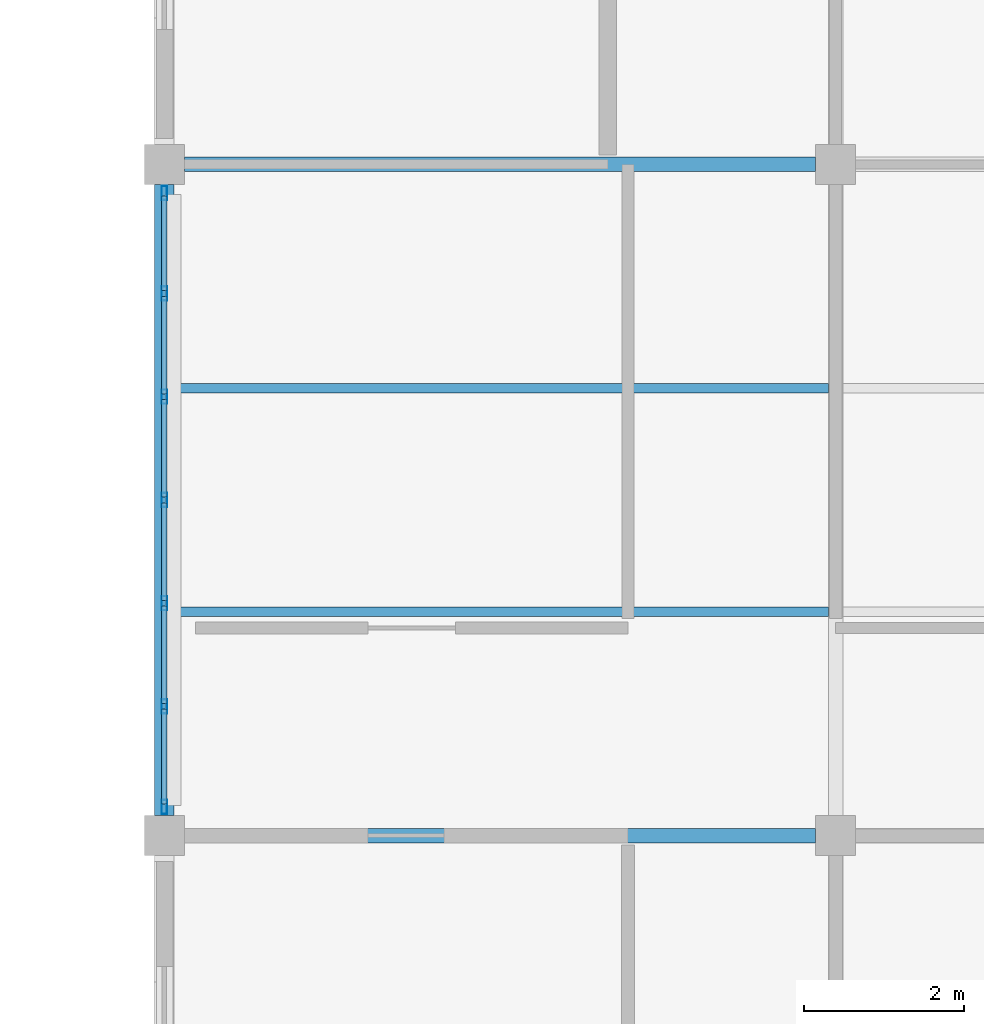
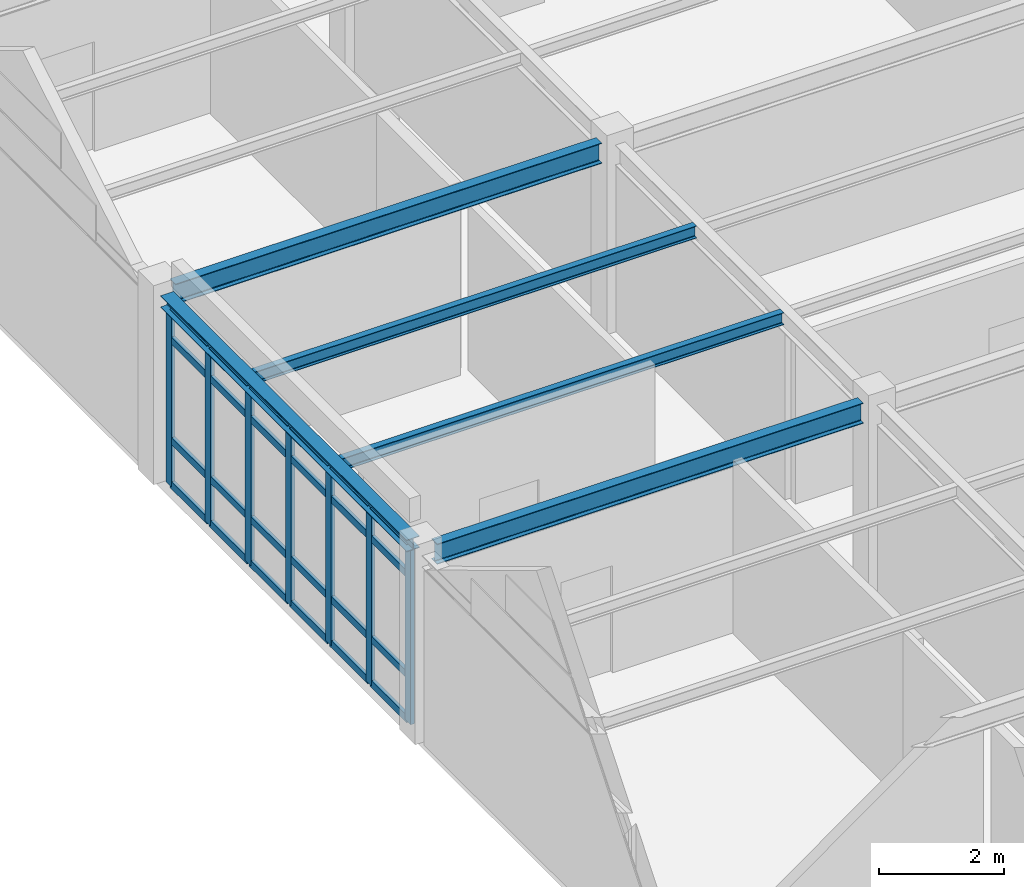
# One storey, part 4 of 45: 31 members, 5 beams, 1 element without a shape of its own.
"""IFC4 building model written with IfcOpenShell, lengths in metres."""

from ifc_helpers import new_model, si_unit, direction, frame, origin, origin_2d, place, context, subcontext, project, spatial, hollow_rectangle, i_section, extrude, material, layer, layer_set, material_profile, profile_set, type_object, element, aggregate, save


model = new_model("IFC4")

# Units and contexts
model_context = context("Model", 3, precision=1e-05, world=origin(), true_north=direction((0.0, 1.0)))
body_context = subcontext(model_context, "Body", "Model", "MODEL_VIEW")
ifc_project = project(units=[si_unit("LENGTHUNIT", "METRE"), si_unit("AREAUNIT", "SQUARE_METRE"), si_unit("VOLUMEUNIT", "CUBIC_METRE"), si_unit("PLANEANGLEUNIT", "RADIAN"), si_unit("MASSUNIT", "GRAM", prefix="KILO")], contexts=[model_context])

# Site, building, storey
site_placement = place(None, origin())
site = spatial("IfcSite", under=ifc_project, at=site_placement, CompositionType="ELEMENT")
building_placement = place(site_placement, origin())
building = spatial("IfcBuilding", under=site, at=building_placement, Name="Bramfleet General Hospital", CompositionType="ELEMENT")
storey_placement = place(building_placement, frame((0.0, 0.0, 30.300048828125)))
storey = spatial("IfcBuildingStorey", under=building, at=storey_placement, Name="L07", CompositionType="ELEMENT", Elevation=30.300048828125)

# Beams
ifc_material_1 = material(Name="Steel S355", Category="steel")
ifc_material_profile_1 = material_profile(ifc_material_1, i_section(OverallWidth=0.239990234375, OverallDepth=0.22998046875, WebThickness=0.007568359375, FlangeThickness=0.011962890625, FilletRadius=0.02099609375, at=origin_2d()), Name="HEA 240")
ifc_profile_set_1 = profile_set([ifc_material_profile_1], Name="Steel S355")
beam_type_1 = type_object("IfcBeamType", Name="BM-HEA240", PredefinedType="SPANDREL", material=ifc_profile_set_1)
beam_placement = place(storey_placement, frame((92.39990234375, 42.25, 3.544921875), z_axis=(0.0, 1.0, 0.0), x_axis=(-1.0, 0.0, 0.0)))
element("IfcBeam", 1, at=beam_placement, inside=storey, type_object=beam_type_1, Name="L07 Grid Beam Y 11-05", PredefinedType="SPANDREL", context=body_context, shape_type="SweptSolid", body=[
    extrude(i_section(OverallWidth=0.239990234375, OverallDepth=0.22998046875, WebThickness=0.007568359375, FlangeThickness=0.011962890625, FilletRadius=0.02099609375, at=origin_2d()), origin(), (0.0, 0.0, 1.0), 7.89990234375),
])
ifc_material_profile_2 = material_profile(ifc_material_1, i_section(OverallWidth=0.1201171875, OverallDepth=0.239990234375, WebThickness=0.006103515625, FlangeThickness=0.009765625, FilletRadius=0.014892578125, at=origin_2d()), Name="IPE 240")
ifc_profile_set_2 = profile_set([ifc_material_profile_2], Name="Steel S355")
beam_type_2 = type_object("IfcBeamType", Name="BM-IPE240", PredefinedType="JOIST", material=ifc_profile_set_2)
for number, where, z_axis, x_axis, name in (
    (2, (92.52001953125, 44.800048828125, 3.5400390625), (1.0, 0.0, 0.0), (0.0, 1.0, 0.0), "L07 Secondary Joist 11-05-1"),
    (3, (92.52001953125, 47.60009765625, 3.5400390625), (1.0, 0.0, 0.0), (0.0, 1.0, 0.0), "L07 Secondary Joist 11-05-2"),
):
    element("IfcBeam", number, at=place(storey_placement, frame(where, z_axis=z_axis, x_axis=x_axis)), inside=storey, type_object=beam_type_2, Name=name, PredefinedType="JOIST", context=body_context, shape_type="SweptSolid", body=[
        extrude(i_section(OverallWidth=0.1201171875, OverallDepth=0.239990234375, WebThickness=0.006103515625, FlangeThickness=0.009765625, FilletRadius=0.014892578125, at=origin_2d()), origin(), (0.0, 0.0, 1.0), 8.18994140625),
    ])
ifc_material_profile_3 = material_profile(ifc_material_1, i_section(OverallWidth=0.179931640625, OverallDepth=0.39990234375, WebThickness=0.008544921875, FlangeThickness=0.013427734375, FilletRadius=0.02099609375, at=origin_2d()), Name="IPE 400")
ifc_profile_set_3 = profile_set([ifc_material_profile_3], Name="Steel S355")
beam_type_3 = type_object("IfcBeamType", Name="BM-IPE400", PredefinedType="BEAM", material=ifc_profile_set_3)
for number, where, z_axis, x_axis, name in (
    (4, (92.64990234375, 42.0, 3.4599609375), (1.0, 0.0, 0.0), (0.0, 1.0, 0.0), "L07 Grid Beam X 11-05"),
    (5, (92.64990234375, 50.39990234375, 3.4599609375), (1.0, 0.0, 0.0), (0.0, 1.0, 0.0), "L07 Grid Beam X 11-06"),
):
    element("IfcBeam", number, at=place(storey_placement, frame(where, z_axis=z_axis, x_axis=x_axis)), inside=storey, type_object=beam_type_3, Name=name, PredefinedType="BEAM", context=body_context, shape_type="SweptSolid", body=[
        extrude(i_section(OverallWidth=0.179931640625, OverallDepth=0.39990234375, WebThickness=0.008544921875, FlangeThickness=0.013427734375, FilletRadius=0.02099609375, at=origin_2d()), origin(), (0.0, 0.0, 1.0), 7.900146484375),
    ])

# Curtain wall, members
ifc_material_2 = material(Name="Anodised aluminium and low-E triple glazing", Category="aluminium")
ifc_layer = layer(ifc_material_2, 0.179931640625, Name="CWT-CW-17")
ifc_layer_set = layer_set([ifc_layer], Name="Anodised aluminium and low-E triple glazing")
curtain_wall_type = type_object("IfcCurtainWallType", Name="CWT-CW-17", PredefinedType="USERDEFINED", material=ifc_layer_set)
curtain_wall_placement = place(storey_placement, origin())
curtain_wall = element("IfcCurtainWall", 6, at=curtain_wall_placement, inside=storey, type_object=curtain_wall_type, Name="L07 Curtain Wall 233", ObjectType="Stick curtain wall", PredefinedType="USERDEFINED")
ifc_material_3 = material(Name="Anodised aluminium EN AW-6060", Category="aluminium")
ifc_material_profile_4 = material_profile(ifc_material_3, hollow_rectangle(XDim=0.070068359375, YDim=0.179931640625, WallThickness=0.00390625, at=origin_2d()), Name="ALU 180x70x4.0")
ifc_profile_set_4 = profile_set([ifc_material_profile_4], Name="Anodised aluminium EN AW-6060")
member_type_1 = type_object("IfcMemberType", Name="CWM-ALU180", PredefinedType="MULLION", material=ifc_profile_set_4)
member_1_placement = place(storey_placement, frame((92.39990234375, 42.360107421875, 0.0), z_axis=(0.0, 0.0, 1.0), x_axis=(-1.0, 0.0, 0.0)))
member_1 = element("IfcMember", 7, at=member_1_placement, type_object=member_type_1, Name="CW-17 mullion 1", PredefinedType="MULLION", context=body_context, shape_type="SweptSolid", body=[
    extrude(hollow_rectangle(XDim=0.070068359375, YDim=0.179931640625, WallThickness=0.00390625, at=origin_2d()), origin(), (0.0, 0.0, 1.0), 3.419921875),
])
member_2_placement = place(storey_placement, frame((92.39990234375, 43.61669921875, 0.0), z_axis=(0.0, 0.0, 1.0), x_axis=(-1.0, 0.0, 0.0)))
member_2 = element("IfcMember", 8, at=member_2_placement, type_object=member_type_1, Name="CW-17 mullion 2", PredefinedType="MULLION", context=body_context, shape_type="SweptSolid", body=[
    extrude(hollow_rectangle(XDim=0.070068359375, YDim=0.179931640625, WallThickness=0.00390625, at=origin_2d()), origin(), (0.0, 0.0, 1.0), 3.419921875),
])
member_3_placement = place(storey_placement, frame((92.39990234375, 44.908447265625, 0.0), z_axis=(0.0, 0.0, 1.0), x_axis=(-1.0, 0.0, 0.0)))
member_3 = element("IfcMember", 9, at=member_3_placement, type_object=member_type_1, Name="CW-17 mullion 3", PredefinedType="MULLION", context=body_context, shape_type="SweptSolid", body=[
    extrude(hollow_rectangle(XDim=0.070068359375, YDim=0.179931640625, WallThickness=0.00390625, at=origin_2d()), origin(), (0.0, 0.0, 1.0), 3.419921875),
])
member_4_placement = place(storey_placement, frame((92.39990234375, 46.199951171875, 0.0), z_axis=(0.0, 0.0, 1.0), x_axis=(-1.0, 0.0, 0.0)))
member_4 = element("IfcMember", 10, at=member_4_placement, type_object=member_type_1, Name="CW-17 mullion 4", PredefinedType="MULLION", context=body_context, shape_type="SweptSolid", body=[
    extrude(hollow_rectangle(XDim=0.070068359375, YDim=0.179931640625, WallThickness=0.00390625, at=origin_2d()), origin(), (0.0, 0.0, 1.0), 3.419921875),
])
member_5_placement = place(storey_placement, frame((92.39990234375, 47.49169921875, 0.0), z_axis=(0.0, 0.0, 1.0), x_axis=(-1.0, 0.0, 0.0)))
member_5 = element("IfcMember", 11, at=member_5_placement, type_object=member_type_1, Name="CW-17 mullion 5", PredefinedType="MULLION", context=body_context, shape_type="SweptSolid", body=[
    extrude(hollow_rectangle(XDim=0.070068359375, YDim=0.179931640625, WallThickness=0.00390625, at=origin_2d()), origin(), (0.0, 0.0, 1.0), 3.419921875),
])
member_6_placement = place(storey_placement, frame((92.39990234375, 48.783447265625, 0.0), z_axis=(0.0, 0.0, 1.0), x_axis=(-1.0, 0.0, 0.0)))
member_6 = element("IfcMember", 12, at=member_6_placement, type_object=member_type_1, Name="CW-17 mullion 6", PredefinedType="MULLION", context=body_context, shape_type="SweptSolid", body=[
    extrude(hollow_rectangle(XDim=0.070068359375, YDim=0.179931640625, WallThickness=0.00390625, at=origin_2d()), origin(), (0.0, 0.0, 1.0), 3.419921875),
])
member_7_placement = place(storey_placement, frame((92.39990234375, 50.0400390625, 0.0), z_axis=(0.0, 0.0, 1.0), x_axis=(-1.0, 0.0, 0.0)))
member_7 = element("IfcMember", 13, at=member_7_placement, type_object=member_type_1, Name="CW-17 mullion 7", PredefinedType="MULLION", context=body_context, shape_type="SweptSolid", body=[
    extrude(hollow_rectangle(XDim=0.070068359375, YDim=0.179931640625, WallThickness=0.00390625, at=origin_2d()), origin(), (0.0, 0.0, 1.0), 3.419921875),
])
ifc_material_profile_5 = material_profile(ifc_material_3, hollow_rectangle(XDim=0.06494140625, YDim=0.139892578125, WallThickness=0.00390625, at=origin_2d()), Name="ALU 140x65x4.0")
ifc_profile_set_5 = profile_set([ifc_material_profile_5], Name="Anodised aluminium EN AW-6060")
member_type_2 = type_object("IfcMemberType", Name="CWT-ALU140", PredefinedType="USERDEFINED", material=ifc_profile_set_5)
member_8_placement = place(storey_placement, frame((92.39990234375, 42.39501953125, 0.032470703125), z_axis=(0.0, 1.0, 0.0), x_axis=(-1.0, 0.0, 0.0)))
member_8 = element("IfcMember", 14, at=member_8_placement, type_object=member_type_2, Name="CW-17 transom 1.1", ObjectType="TRANSOM", PredefinedType="USERDEFINED", context=body_context, shape_type="SweptSolid", body=[
    extrude(hollow_rectangle(XDim=0.06494140625, YDim=0.139892578125, WallThickness=0.00390625, at=origin_2d()), origin(), (0.0, 0.0, 1.0), 1.186767578125),
])
member_9_placement = place(storey_placement, frame((92.39990234375, 42.39501953125, 0.89990234375), z_axis=(0.0, 1.0, 0.0), x_axis=(-1.0, 0.0, 0.0)))
member_9 = element("IfcMember", 15, at=member_9_placement, type_object=member_type_2, Name="CW-17 transom 1.2", ObjectType="TRANSOM", PredefinedType="USERDEFINED", context=body_context, shape_type="SweptSolid", body=[
    extrude(hollow_rectangle(XDim=0.06494140625, YDim=0.139892578125, WallThickness=0.00390625, at=origin_2d()), origin(), (0.0, 0.0, 1.0), 1.186767578125),
])
member_10_placement = place(storey_placement, frame((92.39990234375, 42.39501953125, 2.869873046875), z_axis=(0.0, 1.0, 0.0), x_axis=(-1.0, 0.0, 0.0)))
member_10 = element("IfcMember", 16, at=member_10_placement, type_object=member_type_2, Name="CW-17 transom 1.3", ObjectType="TRANSOM", PredefinedType="USERDEFINED", context=body_context, shape_type="SweptSolid", body=[
    extrude(hollow_rectangle(XDim=0.06494140625, YDim=0.139892578125, WallThickness=0.00390625, at=origin_2d()), origin(), (0.0, 0.0, 1.0), 1.186767578125),
])
member_11_placement = place(storey_placement, frame((92.39990234375, 42.39501953125, 3.387451171875), z_axis=(0.0, 1.0, 0.0), x_axis=(-1.0, 0.0, 0.0)))
member_11 = element("IfcMember", 17, at=member_11_placement, type_object=member_type_2, Name="CW-17 transom 1.4", ObjectType="TRANSOM", PredefinedType="USERDEFINED", context=body_context, shape_type="SweptSolid", body=[
    extrude(hollow_rectangle(XDim=0.06494140625, YDim=0.139892578125, WallThickness=0.00390625, at=origin_2d()), origin(), (0.0, 0.0, 1.0), 1.186767578125),
])
member_12_placement = place(storey_placement, frame((92.39990234375, 43.651611328125, 0.032470703125), z_axis=(0.0, 1.0, 0.0), x_axis=(-1.0, 0.0, 0.0)))
member_12 = element("IfcMember", 18, at=member_12_placement, type_object=member_type_2, Name="CW-17 transom 2.1", ObjectType="TRANSOM", PredefinedType="USERDEFINED", context=body_context, shape_type="SweptSolid", body=[
    extrude(hollow_rectangle(XDim=0.06494140625, YDim=0.139892578125, WallThickness=0.00390625, at=origin_2d()), origin(), (0.0, 0.0, 1.0), 1.2216796875),
])
member_13_placement = place(storey_placement, frame((92.39990234375, 43.651611328125, 0.89990234375), z_axis=(0.0, 1.0, 0.0), x_axis=(-1.0, 0.0, 0.0)))
member_13 = element("IfcMember", 19, at=member_13_placement, type_object=member_type_2, Name="CW-17 transom 2.2", ObjectType="TRANSOM", PredefinedType="USERDEFINED", context=body_context, shape_type="SweptSolid", body=[
    extrude(hollow_rectangle(XDim=0.06494140625, YDim=0.139892578125, WallThickness=0.00390625, at=origin_2d()), origin(), (0.0, 0.0, 1.0), 1.2216796875),
])
member_14_placement = place(storey_placement, frame((92.39990234375, 43.651611328125, 2.869873046875), z_axis=(0.0, 1.0, 0.0), x_axis=(-1.0, 0.0, 0.0)))
member_14 = element("IfcMember", 20, at=member_14_placement, type_object=member_type_2, Name="CW-17 transom 2.3", ObjectType="TRANSOM", PredefinedType="USERDEFINED", context=body_context, shape_type="SweptSolid", body=[
    extrude(hollow_rectangle(XDim=0.06494140625, YDim=0.139892578125, WallThickness=0.00390625, at=origin_2d()), origin(), (0.0, 0.0, 1.0), 1.2216796875),
])
member_15_placement = place(storey_placement, frame((92.39990234375, 43.651611328125, 3.387451171875), z_axis=(0.0, 1.0, 0.0), x_axis=(-1.0, 0.0, 0.0)))
member_15 = element("IfcMember", 21, at=member_15_placement, type_object=member_type_2, Name="CW-17 transom 2.4", ObjectType="TRANSOM", PredefinedType="USERDEFINED", context=body_context, shape_type="SweptSolid", body=[
    extrude(hollow_rectangle(XDim=0.06494140625, YDim=0.139892578125, WallThickness=0.00390625, at=origin_2d()), origin(), (0.0, 0.0, 1.0), 1.2216796875),
])
member_16_placement = place(storey_placement, frame((92.39990234375, 44.943359375, 0.032470703125), z_axis=(0.0, 1.0, 0.0), x_axis=(-1.0, 0.0, 0.0)))
member_16 = element("IfcMember", 22, at=member_16_placement, type_object=member_type_2, Name="CW-17 transom 3.1", ObjectType="TRANSOM", PredefinedType="USERDEFINED", context=body_context, shape_type="SweptSolid", body=[
    extrude(hollow_rectangle(XDim=0.06494140625, YDim=0.139892578125, WallThickness=0.00390625, at=origin_2d()), origin(), (0.0, 0.0, 1.0), 1.2216796875),
])
member_17_placement = place(storey_placement, frame((92.39990234375, 44.943359375, 0.89990234375), z_axis=(0.0, 1.0, 0.0), x_axis=(-1.0, 0.0, 0.0)))
member_17 = element("IfcMember", 23, at=member_17_placement, type_object=member_type_2, Name="CW-17 transom 3.2", ObjectType="TRANSOM", PredefinedType="USERDEFINED", context=body_context, shape_type="SweptSolid", body=[
    extrude(hollow_rectangle(XDim=0.06494140625, YDim=0.139892578125, WallThickness=0.00390625, at=origin_2d()), origin(), (0.0, 0.0, 1.0), 1.2216796875),
])
member_18_placement = place(storey_placement, frame((92.39990234375, 44.943359375, 2.869873046875), z_axis=(0.0, 1.0, 0.0), x_axis=(-1.0, 0.0, 0.0)))
member_18 = element("IfcMember", 24, at=member_18_placement, type_object=member_type_2, Name="CW-17 transom 3.3", ObjectType="TRANSOM", PredefinedType="USERDEFINED", context=body_context, shape_type="SweptSolid", body=[
    extrude(hollow_rectangle(XDim=0.06494140625, YDim=0.139892578125, WallThickness=0.00390625, at=origin_2d()), origin(), (0.0, 0.0, 1.0), 1.2216796875),
])
member_19_placement = place(storey_placement, frame((92.39990234375, 44.943359375, 3.387451171875), z_axis=(0.0, 1.0, 0.0), x_axis=(-1.0, 0.0, 0.0)))
member_19 = element("IfcMember", 25, at=member_19_placement, type_object=member_type_2, Name="CW-17 transom 3.4", ObjectType="TRANSOM", PredefinedType="USERDEFINED", context=body_context, shape_type="SweptSolid", body=[
    extrude(hollow_rectangle(XDim=0.06494140625, YDim=0.139892578125, WallThickness=0.00390625, at=origin_2d()), origin(), (0.0, 0.0, 1.0), 1.2216796875),
])
member_20_placement = place(storey_placement, frame((92.39990234375, 46.235107421875, 0.032470703125), z_axis=(0.0, 1.0, 0.0), x_axis=(-1.0, 0.0, 0.0)))
member_20 = element("IfcMember", 26, at=member_20_placement, type_object=member_type_2, Name="CW-17 transom 4.1", ObjectType="TRANSOM", PredefinedType="USERDEFINED", context=body_context, shape_type="SweptSolid", body=[
    extrude(hollow_rectangle(XDim=0.06494140625, YDim=0.139892578125, WallThickness=0.00390625, at=origin_2d()), origin(), (0.0, 0.0, 1.0), 1.2216796875),
])
member_21_placement = place(storey_placement, frame((92.39990234375, 46.235107421875, 0.89990234375), z_axis=(0.0, 1.0, 0.0), x_axis=(-1.0, 0.0, 0.0)))
member_21 = element("IfcMember", 27, at=member_21_placement, type_object=member_type_2, Name="CW-17 transom 4.2", ObjectType="TRANSOM", PredefinedType="USERDEFINED", context=body_context, shape_type="SweptSolid", body=[
    extrude(hollow_rectangle(XDim=0.06494140625, YDim=0.139892578125, WallThickness=0.00390625, at=origin_2d()), origin(), (0.0, 0.0, 1.0), 1.2216796875),
])
member_22_placement = place(storey_placement, frame((92.39990234375, 46.235107421875, 2.869873046875), z_axis=(0.0, 1.0, 0.0), x_axis=(-1.0, 0.0, 0.0)))
member_22 = element("IfcMember", 28, at=member_22_placement, type_object=member_type_2, Name="CW-17 transom 4.3", ObjectType="TRANSOM", PredefinedType="USERDEFINED", context=body_context, shape_type="SweptSolid", body=[
    extrude(hollow_rectangle(XDim=0.06494140625, YDim=0.139892578125, WallThickness=0.00390625, at=origin_2d()), origin(), (0.0, 0.0, 1.0), 1.2216796875),
])
member_23_placement = place(storey_placement, frame((92.39990234375, 46.235107421875, 3.387451171875), z_axis=(0.0, 1.0, 0.0), x_axis=(-1.0, 0.0, 0.0)))
member_23 = element("IfcMember", 29, at=member_23_placement, type_object=member_type_2, Name="CW-17 transom 4.4", ObjectType="TRANSOM", PredefinedType="USERDEFINED", context=body_context, shape_type="SweptSolid", body=[
    extrude(hollow_rectangle(XDim=0.06494140625, YDim=0.139892578125, WallThickness=0.00390625, at=origin_2d()), origin(), (0.0, 0.0, 1.0), 1.2216796875),
])
member_24_placement = place(storey_placement, frame((92.39990234375, 47.526611328125, 0.032470703125), z_axis=(0.0, 1.0, 0.0), x_axis=(-1.0, 0.0, 0.0)))
member_24 = element("IfcMember", 30, at=member_24_placement, type_object=member_type_2, Name="CW-17 transom 5.1", ObjectType="TRANSOM", PredefinedType="USERDEFINED", context=body_context, shape_type="SweptSolid", body=[
    extrude(hollow_rectangle(XDim=0.06494140625, YDim=0.139892578125, WallThickness=0.00390625, at=origin_2d()), origin(), (0.0, 0.0, 1.0), 1.2216796875),
])
member_25_placement = place(storey_placement, frame((92.39990234375, 47.526611328125, 0.89990234375), z_axis=(0.0, 1.0, 0.0), x_axis=(-1.0, 0.0, 0.0)))
member_25 = element("IfcMember", 31, at=member_25_placement, type_object=member_type_2, Name="CW-17 transom 5.2", ObjectType="TRANSOM", PredefinedType="USERDEFINED", context=body_context, shape_type="SweptSolid", body=[
    extrude(hollow_rectangle(XDim=0.06494140625, YDim=0.139892578125, WallThickness=0.00390625, at=origin_2d()), origin(), (0.0, 0.0, 1.0), 1.2216796875),
])
member_26_placement = place(storey_placement, frame((92.39990234375, 47.526611328125, 2.869873046875), z_axis=(0.0, 1.0, 0.0), x_axis=(-1.0, 0.0, 0.0)))
member_26 = element("IfcMember", 32, at=member_26_placement, type_object=member_type_2, Name="CW-17 transom 5.3", ObjectType="TRANSOM", PredefinedType="USERDEFINED", context=body_context, shape_type="SweptSolid", body=[
    extrude(hollow_rectangle(XDim=0.06494140625, YDim=0.139892578125, WallThickness=0.00390625, at=origin_2d()), origin(), (0.0, 0.0, 1.0), 1.2216796875),
])
member_27_placement = place(storey_placement, frame((92.39990234375, 47.526611328125, 3.387451171875), z_axis=(0.0, 1.0, 0.0), x_axis=(-1.0, 0.0, 0.0)))
member_27 = element("IfcMember", 33, at=member_27_placement, type_object=member_type_2, Name="CW-17 transom 5.4", ObjectType="TRANSOM", PredefinedType="USERDEFINED", context=body_context, shape_type="SweptSolid", body=[
    extrude(hollow_rectangle(XDim=0.06494140625, YDim=0.139892578125, WallThickness=0.00390625, at=origin_2d()), origin(), (0.0, 0.0, 1.0), 1.2216796875),
])
member_28_placement = place(storey_placement, frame((92.39990234375, 48.818359375, 0.032470703125), z_axis=(0.0, 1.0, 0.0), x_axis=(-1.0, 0.0, 0.0)))
member_28 = element("IfcMember", 34, at=member_28_placement, type_object=member_type_2, Name="CW-17 transom 6.1", ObjectType="TRANSOM", PredefinedType="USERDEFINED", context=body_context, shape_type="SweptSolid", body=[
    extrude(hollow_rectangle(XDim=0.06494140625, YDim=0.139892578125, WallThickness=0.00390625, at=origin_2d()), origin(), (0.0, 0.0, 1.0), 1.1865234375),
])
member_29_placement = place(storey_placement, frame((92.39990234375, 48.818359375, 0.89990234375), z_axis=(0.0, 1.0, 0.0), x_axis=(-1.0, 0.0, 0.0)))
member_29 = element("IfcMember", 35, at=member_29_placement, type_object=member_type_2, Name="CW-17 transom 6.2", ObjectType="TRANSOM", PredefinedType="USERDEFINED", context=body_context, shape_type="SweptSolid", body=[
    extrude(hollow_rectangle(XDim=0.06494140625, YDim=0.139892578125, WallThickness=0.00390625, at=origin_2d()), origin(), (0.0, 0.0, 1.0), 1.1865234375),
])
member_30_placement = place(storey_placement, frame((92.39990234375, 48.818359375, 2.869873046875), z_axis=(0.0, 1.0, 0.0), x_axis=(-1.0, 0.0, 0.0)))
member_30 = element("IfcMember", 36, at=member_30_placement, type_object=member_type_2, Name="CW-17 transom 6.3", ObjectType="TRANSOM", PredefinedType="USERDEFINED", context=body_context, shape_type="SweptSolid", body=[
    extrude(hollow_rectangle(XDim=0.06494140625, YDim=0.139892578125, WallThickness=0.00390625, at=origin_2d()), origin(), (0.0, 0.0, 1.0), 1.1865234375),
])
member_31_placement = place(storey_placement, frame((92.39990234375, 48.818359375, 3.387451171875), z_axis=(0.0, 1.0, 0.0), x_axis=(-1.0, 0.0, 0.0)))
member_31 = element("IfcMember", 37, at=member_31_placement, type_object=member_type_2, Name="CW-17 transom 6.4", ObjectType="TRANSOM", PredefinedType="USERDEFINED", context=body_context, shape_type="SweptSolid", body=[
    extrude(hollow_rectangle(XDim=0.06494140625, YDim=0.139892578125, WallThickness=0.00390625, at=origin_2d()), origin(), (0.0, 0.0, 1.0), 1.1865234375),
])
aggregate(curtain_wall, [member_1, member_2, member_3, member_4, member_5, member_6, member_7, member_8, member_9, member_10, member_11, member_12, member_13, member_14, member_15, member_16, member_17, member_18, member_19, member_20, member_21, member_22, member_23, member_24, member_25, member_26, member_27, member_28, member_29, member_30, member_31])

save(model, "model.ifc")
